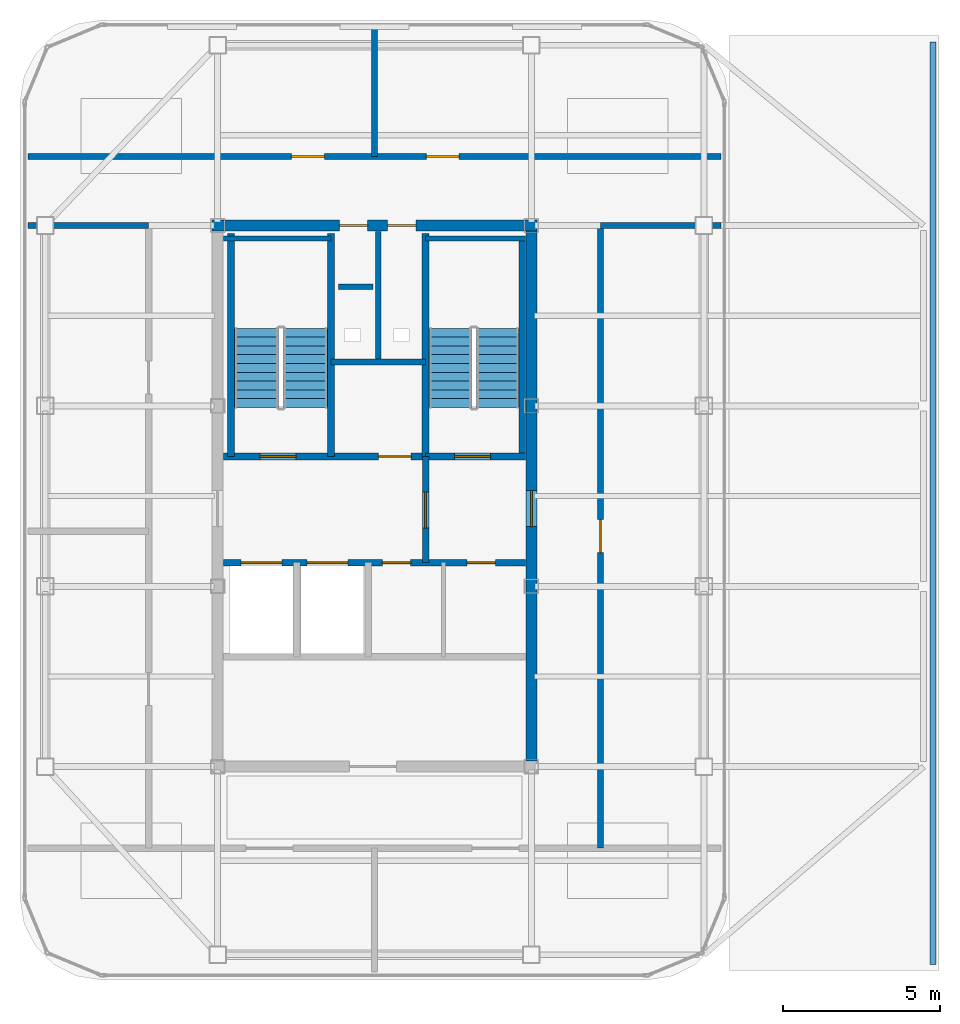
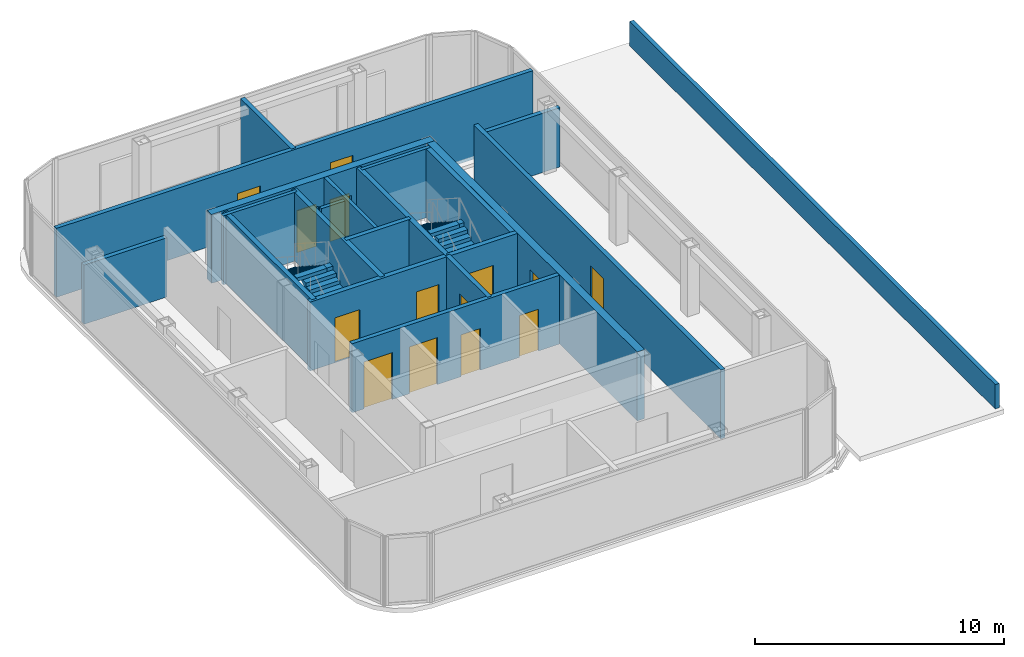
# One storey, part 10 of 11: 21 walls, 14 doors, 4 stair flights, 14 openings, 2 elements without a shape of their own.
"""IFC4 building model written with IfcOpenShell, lengths in metres."""

import ifcopenshell
import ifcopenshell.guid

model = None  # the IFC model being written
_history = None  # IfcOwnerHistory: only IFC2X3 demands one
_inside = {}  # id of a spatial element -> (the spatial element, [elements in it])
_under = {}  # id of a project, library or spatial element -> (it, [spatial elements below it])
_declared = {}  # id of a project -> (the project, [libraries it declares])
_typed = {}  # id of a type object -> (the type object, [elements of that type])
_made_of = {}  # id of a material, layer set ... -> (it, [elements and type objects made of it])


def new_model(schema):
    """Start an empty IFC model of exactly this schema.

    Asked for "IFC4X3", IfcOpenShell would pick the latest addendum, in which some entities
    have other attributes; the version numbers below select the first issue.
    IFC2X3 requires an IfcOwnerHistory on every rooted entity: one is made here for all.
    """
    global model, _history
    if schema == "IFC4X3":
        model = ifcopenshell.file(schema_version=(4, 3, 0, 0))
    else:
        model = ifcopenshell.file(schema=schema)
    _inside.clear()
    _under.clear()
    _declared.clear()
    _typed.clear()
    _made_of.clear()
    _history = None
    if model.schema == "IFC2X3":
        org = make("IfcOrganization", Name="unknown")
        user = make(
            "IfcPersonAndOrganization",
            ThePerson=make("IfcPerson", FamilyName="unknown"),
            TheOrganization=org,
        )
        app = make(
            "IfcApplication",
            ApplicationDeveloper=org,
            Version="unknown",
            ApplicationFullName="unknown",
            ApplicationIdentifier="unknown",
        )
        _history = make(
            "IfcOwnerHistory",
            OwningUser=user,
            OwningApplication=app,
            ChangeAction="ADDED",
            CreationDate=0,
        )
    return model


def make(cls, **values):
    """One entity of the class cls with the attributes given. An attribute that is None is left unset."""
    return model.create_entity(
        cls, **{name: value for name, value in values.items() if value is not None}
    )


def rooted(cls, **values):
    """An entity with a GlobalId (a new one), such as an element, a storey or a relation."""
    return make(cls, GlobalId=ifcopenshell.guid.new(), OwnerHistory=_history, **values)


def si_unit(unit_type, name, prefix=None):
    """IfcSIUnit, for example si_unit("LENGTHUNIT", "METRE", prefix="MILLI")."""
    return make("IfcSIUnit", UnitType=unit_type, Prefix=prefix, Name=name)


def assignment(units):
    """IfcUnitAssignment: the units of a project."""
    return None if units is None else make("IfcUnitAssignment", Units=units)


def point(xyz):
    """IfcCartesianPoint."""
    return None if xyz is None else make("IfcCartesianPoint", Coordinates=xyz)


def direction(xyz):
    """IfcDirection."""
    return None if xyz is None else make("IfcDirection", DirectionRatios=xyz)


def frame(location, z_axis=None, x_axis=None):
    """IfcAxis2Placement3D, a coordinate frame: its origin and axes. An axis left out is left unset."""
    return make(
        "IfcAxis2Placement3D",
        Location=point(location),
        Axis=direction(z_axis),
        RefDirection=direction(x_axis),
    )


def frame_2d(location, x_axis=None):
    """IfcAxis2Placement2D, a coordinate frame in the plane: its origin and x axis."""
    return make(
        "IfcAxis2Placement2D", Location=point(location), RefDirection=direction(x_axis)
    )


def origin():
    """The frame at (0, 0, 0) with its axes left unset."""
    return frame((0.0, 0.0, 0.0))


def place(relative_to, where):
    """IfcLocalPlacement: puts the frame where relative to a parent placement (None: the world)."""
    return make(
        "IfcLocalPlacement", PlacementRelTo=relative_to, RelativePlacement=where
    )


def context(
    kind, dimensions, precision=None, world=None, true_north=None, identifier=None
):
    """IfcGeometricRepresentationContext, for example the 3D "Model" context."""
    return make(
        "IfcGeometricRepresentationContext",
        ContextIdentifier=identifier,
        ContextType=kind,
        CoordinateSpaceDimension=dimensions,
        Precision=precision,
        WorldCoordinateSystem=world,
        TrueNorth=true_north,
    )


def subcontext(parent, identifier, kind, view, scale=None):
    """IfcGeometricRepresentationSubContext, for example "Body" below "Model"."""
    return make(
        "IfcGeometricRepresentationSubContext",
        ContextIdentifier=identifier,
        ContextType=kind,
        ParentContext=parent,
        TargetScale=scale,
        TargetView=view,
    )


def project(units=None, contexts=None):
    """IfcProject with its units and contexts."""
    return rooted(
        "IfcProject",
        Name="project",
        RepresentationContexts=contexts,
        UnitsInContext=assignment(units),
    )


def spatial(cls, under=None, at=None, **own):
    """A site, building, storey or space (cls), placed at a placement, below another one or the project."""
    s = rooted(cls, ObjectPlacement=at, **own)
    if under is not None:
        _under.setdefault(under.id(), (under, []))[1].append(s)
    return s


def polyline(points):
    """IfcPolyline through the points."""
    return make("IfcPolyline", Points=[point(p) for p in points])


def profile(cls, at=None, kind="AREA", **sizes):
    """A parametric profile (cls). Its sizes go by their IFC names, for example OverallWidth=200.0."""
    return make(cls, ProfileType=kind, Position=at, **sizes)


def rectangle(**sizes):
    """IfcRectangleProfileDef."""
    return profile("IfcRectangleProfileDef", **sizes)


def outline(outer, holes=None, kind="AREA"):
    """IfcArbitraryClosedProfileDef: a profile drawn as a closed curve; with holes, ...WithVoids."""
    if holes is None:
        return make("IfcArbitraryClosedProfileDef", ProfileType=kind, OuterCurve=outer)
    return make(
        "IfcArbitraryProfileDefWithVoids",
        ProfileType=kind,
        OuterCurve=outer,
        InnerCurves=holes,
    )


def extrude(swept, where, along, depth):
    """IfcExtrudedAreaSolid: the profile swept, set in the frame where, extruded along a direction by depth."""
    return make(
        "IfcExtrudedAreaSolid",
        SweptArea=swept,
        Position=where,
        ExtrudedDirection=direction(along),
        Depth=depth,
    )


def shape(context_of_items, identifier, shape_type, items):
    """IfcShapeRepresentation: the items that make up one representation, for example the "Body"."""
    return make(
        "IfcShapeRepresentation",
        ContextOfItems=context_of_items,
        RepresentationIdentifier=identifier,
        RepresentationType=shape_type,
        Items=items,
    )


def material(Name=None, Category=None):
    """IfcMaterial."""
    return make("IfcMaterial", Name=Name, Category=Category)


def layer(
    of_material, thickness, ventilated=None, Name=None, Category=None, Priority=None
):
    """IfcMaterialLayer: one layer of a wall or slab, of a material (None: an air gap)."""
    return make(
        "IfcMaterialLayer",
        Material=of_material,
        LayerThickness=thickness,
        IsVentilated=ventilated,
        Name=Name,
        Category=Category,
        Priority=Priority,
    )


def layer_set(layers, Name=None):
    """IfcMaterialLayerSet."""
    return make("IfcMaterialLayerSet", MaterialLayers=layers, LayerSetName=Name)


def made_of(thing, what):
    """Note that an element or type object is made of a material, layer set ...; save() writes the relation."""
    if what is not None:
        _made_of.setdefault(what.id(), (what, []))[1].append(thing)
    return thing


def type_object(cls, material=None, **own):
    """A type object (cls), such as IfcWallType, which elements share."""
    return made_of(rooted(cls, **own), material)


def element(
    cls,
    number,
    at=None,
    inside=None,
    cuts=None,
    type_object=None,
    material=None,
    context=None,
    identifier="Body",
    shape_type=None,
    held_by="IfcProductDefinitionShape",
    body=None,
    shapes=None,
    **own,
):
    """One element of the class cls, such as IfcWall. Its Tag is "e" and its number.

    at: its placement. inside: the storey or other place that contains it. cuts: it is an
    opening in that element (IfcRelVoidsElement). A single representation is given by context,
    identifier, shape_type and body (its items); several are given by shapes. held_by: the class
    of the entity that holds the representations. save() writes the other relations.
    """
    e = rooted(cls, Tag="e%d" % number, ObjectPlacement=at, **own)
    if body is not None:
        shapes = [shape(context, identifier, shape_type, body)]
    if shapes is not None:
        e.Representation = make(held_by, Representations=shapes)
    if inside is not None:
        _inside.setdefault(inside.id(), (inside, []))[1].append(e)
    if cuts is not None:
        rooted(
            "IfcRelVoidsElement", RelatingBuildingElement=cuts, RelatedOpeningElement=e
        )
    if type_object is not None:
        _typed.setdefault(type_object.id(), (type_object, []))[1].append(e)
    return made_of(e, material)


def fill(opening, filler):
    """IfcRelFillsElement: the door or window that sits in an opening."""
    return rooted(
        "IfcRelFillsElement",
        RelatingOpeningElement=opening,
        RelatedBuildingElement=filler,
    )


def aggregate(whole, parts):
    """IfcRelAggregates: a whole, such as a stair, and the parts it consists of."""
    return rooted("IfcRelAggregates", RelatingObject=whole, RelatedObjects=parts)


def save(model, path):
    """Write the relations noted so far, then the file.

    IfcRelAggregates (storeys below a building ...), IfcRelContainedInSpatialStructure (elements
    in a storey), IfcRelDefinesByType, IfcRelAssociatesMaterial and IfcRelDeclares: one each for
    every whole, place, type object, material and project.
    """
    for whole, parts in _under.values():
        aggregate(whole, parts)
    for where, things in _inside.values():
        rooted(
            "IfcRelContainedInSpatialStructure",
            RelatedElements=things,
            RelatingStructure=where,
        )
    for kind, things in _typed.values():
        rooted("IfcRelDefinesByType", RelatedObjects=things, RelatingType=kind)
    for what, things in _made_of.values():
        rooted("IfcRelAssociatesMaterial", RelatedObjects=things, RelatingMaterial=what)
    for by, libraries in _declared.values():
        rooted("IfcRelDeclares", RelatingContext=by, RelatedDefinitions=libraries)
    model.write(path)


model = new_model("IFC4")

# Units and contexts
model_context = context("Model", 3, precision=1e-05, world=origin(), true_north=direction((0.0, 1.0)))
body_context = subcontext(model_context, "Body", "Model", "MODEL_VIEW")
ifc_project = project(units=[si_unit("LENGTHUNIT", "METRE"), si_unit("AREAUNIT", "SQUARE_METRE"), si_unit("VOLUMEUNIT", "CUBIC_METRE"), si_unit("PLANEANGLEUNIT", "RADIAN"), si_unit("MASSUNIT", "GRAM", prefix="KILO")], contexts=[model_context])

# Site, building, storey
site_placement = place(None, origin())
site = spatial("IfcSite", under=ifc_project, at=site_placement, CompositionType="ELEMENT")
building_placement = place(site_placement, origin())
building = spatial("IfcBuilding", under=site, at=building_placement, Name="Kolveth Station Tower", CompositionType="ELEMENT")
storey_placement = place(building_placement, frame((0.0, 0.0, 285.699951171875)))
storey = spatial("IfcBuildingStorey", under=building, at=storey_placement, Name="L82", CompositionType="ELEMENT", Elevation=285.699951171875)

# Wall, openings, doors
ifc_material_1 = material(Name="Concrete C50/60", Category="concrete")
ifc_layer_1 = layer(ifc_material_1, 0.35009765625)
ifc_layer_set_1 = layer_set([ifc_layer_1], Name="Concrete C50/60")
wall_type_1 = type_object("IfcWallType", Name="Wall_CW-350", PredefinedType="SHEAR", material=ifc_layer_set_1)
wall_1_placement = place(storey_placement, frame((18.324951171875, 28.75, 0.0), z_axis=(0.0, 0.0, 1.0), x_axis=(1.0, 0.0, 0.0)))
wall_1 = element("IfcWall", 1, at=wall_1_placement, inside=storey, type_object=wall_type_1, Name="L82 Core RC Shear Wall N", PredefinedType="SHEAR", context=body_context, shape_type="SweptSolid", body=[
    extrude(rectangle(XDim=10.35009765625, YDim=0.35009765625, at=frame_2d((5.175048828125, 0.0))), origin(), (0.0, 0.0, 1.0), 3.380126953125),
])
opening_1_placement = place(wall_1_placement, frame((4.054931640625, 0.0, 0.0)))
opening_1 = element("IfcOpeningElement", 2, at=opening_1_placement, cuts=wall_1, Name="Opening RD1", PredefinedType="OPENING", context=body_context, shape_type="SweptSolid", body=[
    extrude(rectangle(XDim=0.89990234375, YDim=2.050048828125, at=frame_2d((0.449951171875, 1.02490234375))), frame((0.0, 0.18505859375, 0.0), z_axis=(0.0, -1.0, 0.0), x_axis=(1.0, 0.0, 0.0)), (0.0, 0.0, 1.0), 0.3701171875),
])
opening_2_placement = place(wall_1_placement, frame((5.594970703125, 0.0, 0.0)))
opening_2 = element("IfcOpeningElement", 3, at=opening_2_placement, cuts=wall_1, Name="Opening RD1", PredefinedType="OPENING", context=body_context, shape_type="SweptSolid", body=[
    extrude(rectangle(XDim=0.89990234375, YDim=2.050048828125, at=frame_2d((0.449951171875, 1.02490234375))), frame((0.0, 0.18505859375, 0.0), z_axis=(0.0, -1.0, 0.0), x_axis=(1.0, 0.0, 0.0)), (0.0, 0.0, 1.0), 0.3701171875),
])
ifc_material_2 = material(Name="Fire-rated Steel S355 riser access leaf", Category="steel")
door_type_1 = type_object("IfcDoorType", Name="Door_RD1", OperationType="NOTDEFINED", PredefinedType="DOOR", material=ifc_material_2)
door_1_placement = place(opening_1_placement, origin())
door_1 = element("IfcDoor", 4, at=door_1_placement, inside=storey, type_object=door_type_1, Name="L82 Electrical Riser Access Door", OperationType="SINGLE_SWING_RIGHT", OverallHeight=2.050048828125, OverallWidth=0.89990234375, PredefinedType="DOOR", context=body_context, shape_type="SweptSolid", body=[
    extrude(rectangle(XDim=0.89990234375, YDim=2.050048828125, at=frame_2d((0.449951171875, 1.02490234375))), frame((0.0, 0.02490234375, 0.0), z_axis=(0.0, -1.0, 0.0), x_axis=(1.0, 0.0, 0.0)), (0.0, 0.0, 1.0), 0.050048828125),
])
fill(opening_1, door_1)
door_2_placement = place(opening_2_placement, origin())
door_2 = element("IfcDoor", 5, at=door_2_placement, inside=storey, type_object=door_type_1, Name="L82 Smoke Duct Access Door", OperationType="SINGLE_SWING_LEFT", OverallHeight=2.050048828125, OverallWidth=0.89990234375, PredefinedType="DOOR", context=body_context, shape_type="SweptSolid", body=[
    extrude(rectangle(XDim=0.89990234375, YDim=2.050048828125, at=frame_2d((0.449951171875, 1.02490234375))), frame((0.0, 0.02490234375, 0.0), z_axis=(0.0, -1.0, 0.0), x_axis=(1.0, 0.0, 0.0)), (0.0, 0.0, 1.0), 0.050048828125),
])
fill(opening_2, door_2)

# Wall, opening, door
wall_2_placement = place(storey_placement, frame((28.5, 11.675048828125, 0.0), z_axis=(0.0, 0.0, 1.0), x_axis=(0.0, 1.0, 0.0)))
wall_2 = element("IfcWall", 6, at=wall_2_placement, inside=storey, type_object=wall_type_1, Name="L82 Core RC Shear Wall E", PredefinedType="SHEAR", context=body_context, shape_type="SweptSolid", body=[
    extrude(rectangle(XDim=16.89990234375, YDim=0.35009765625, at=frame_2d((8.449951171875, 0.0))), origin(), (0.0, 0.0, 1.0), 3.380126953125),
])
opening_3_placement = place(wall_2_placement, frame((7.47509765625, 0.0, 0.0)))
opening_3 = element("IfcOpeningElement", 7, at=opening_3_placement, cuts=wall_2, Name="Opening FD1", PredefinedType="OPENING", context=body_context, shape_type="SweptSolid", body=[
    extrude(rectangle(XDim=1.14990234375, YDim=2.199951171875, at=frame_2d((0.574951171875, 1.10009765625))), frame((0.0, 0.18505859375, 0.0), z_axis=(0.0, -1.0, 0.0), x_axis=(1.0, 0.0, 0.0)), (0.0, 0.0, 1.0), 0.3701171875),
])
ifc_material_3 = material(Name="Fire-rated Steel S355 leaf and frame", Category="steel")
door_type_2 = type_object("IfcDoorType", Name="Door_FD1", OperationType="NOTDEFINED", PredefinedType="DOOR", material=ifc_material_3)
door_3_placement = place(opening_3_placement, origin())
door_3 = element("IfcDoor", 8, at=door_3_placement, inside=storey, type_object=door_type_2, Name="L82 East Corridor to Stair Lobby Door", OperationType="SINGLE_SWING_LEFT", OverallHeight=2.199951171875, OverallWidth=1.14990234375, PredefinedType="DOOR", context=body_context, shape_type="SweptSolid", body=[
    extrude(rectangle(XDim=1.14990234375, YDim=2.199951171875, at=frame_2d((0.574951171875, 1.10009765625))), frame((0.0, 0.02490234375, 0.0), z_axis=(0.0, -1.0, 0.0), x_axis=(1.0, 0.0, 0.0)), (0.0, 0.0, 1.0), 0.050048828125),
])
fill(opening_3, door_3)

# Walls
ifc_material_4 = material(Name="Acoustic double-stud gypsum partition")
ifc_layer_2 = layer(ifc_material_4, 0.1650390625)
ifc_layer_set_2 = layer_set([ifc_layer_2], Name="Acoustic double-stud gypsum partition")
wall_type_2 = type_object("IfcWallType", Name="Wall_IW-165", PredefinedType="PARTITIONING", material=ifc_layer_set_2)
wall_3_placement = place(storey_placement, frame((18.68505859375, 28.3349609375, 0.0), z_axis=(0.0, 0.0, 1.0), x_axis=(1.0, 0.0, 0.0)))
element("IfcWall", 9, at=wall_3_placement, inside=storey, type_object=wall_type_2, Name="L82 Stair Shaft Wall WL-L82-ST1-N", PredefinedType="PARTITIONING", context=body_context, shape_type="SweptSolid", body=[
    extrude(rectangle(XDim=3.425048828125, YDim=0.1650390625, at=frame_2d((1.71240234375, 0.0))), origin(), (0.0, 0.0, 1.0), 3.380126953125),
])
wall_4_placement = place(storey_placement, frame((25.1298828125, 28.3349609375, 0.0), z_axis=(0.0, 0.0, 1.0), x_axis=(1.0, 0.0, 0.0)))
element("IfcWall", 10, at=wall_4_placement, inside=storey, type_object=wall_type_2, Name="L82 Stair Shaft Wall WL-L82-ST2-N", PredefinedType="PARTITIONING", context=body_context, shape_type="SweptSolid", body=[
    extrude(rectangle(XDim=3.18505859375, YDim=0.1650390625, at=frame_2d((1.592529296875, 0.0))), origin(), (0.0, 0.0, 1.0), 3.380126953125),
])
wall_5_placement = place(storey_placement, frame((23.6201171875, 24.39990234375, 0.0), z_axis=(0.0, 0.0, 1.0), x_axis=(0.0, 1.0, 0.0)))
element("IfcWall", 11, at=wall_5_placement, inside=storey, type_object=wall_type_2, Name="L82 Partition Wall WL-L82-RSR-M", PredefinedType="PARTITIONING", context=body_context, shape_type="SweptSolid", body=[
    extrude(rectangle(XDim=4.1650390625, YDim=0.1650390625, at=frame_2d((2.08251953125, 0.0))), origin(), (0.0, 0.0, 1.0), 3.380126953125),
])
wall_6_placement = place(storey_placement, frame((22.35009765625, 26.800048828125, 0.0), z_axis=(0.0, 0.0, 1.0), x_axis=(1.0, 0.0, 0.0)))
element("IfcWall", 12, at=wall_6_placement, inside=storey, type_object=wall_type_2, Name="L82 Acoustic Riser Dry-Lining Wall", PredefinedType="PARTITIONING", context=body_context, shape_type="SweptSolid", body=[
    extrude(rectangle(XDim=1.099853515625, YDim=0.1650390625, at=frame_2d((0.5498046875, 0.0))), origin(), (0.0, 0.0, 1.0), 3.380126953125),
])
ifc_material_5 = material(Name="Acoustic fire-rated gypsum blockwork", Category="masonry")
ifc_layer_3 = layer(ifc_material_5, 0.199951171875)
ifc_layer_set_3 = layer_set([ifc_layer_3], Name="Acoustic fire-rated gypsum blockwork")
wall_type_3 = type_object("IfcWallType", Name="Wall_IW-200", PredefinedType="PARTITIONING", material=ifc_layer_set_3)
wall_7_placement = place(storey_placement, frame((22.110107421875, 24.39990234375, 0.0), z_axis=(0.0, 0.0, 1.0), x_axis=(1.0, 0.0, 0.0)))
element("IfcWall", 13, at=wall_7_placement, inside=storey, type_object=wall_type_3, Name="L82 Partition Wall WL-L82-RSR-S", PredefinedType="PARTITIONING", context=body_context, shape_type="SweptSolid", body=[
    extrude(rectangle(XDim=3.019775390625, YDim=0.199951171875, at=frame_2d((1.509765625, 0.0))), origin(), (0.0, 0.0, 1.0), 3.380126953125),
])

# Wall, opening, door
wall_8_placement = place(storey_placement, frame((25.1298828125, 18.0, 0.0), z_axis=(0.0, 0.0, 1.0), x_axis=(0.0, 1.0, 0.0)))
wall_8 = element("IfcWall", 14, at=wall_8_placement, inside=storey, type_object=wall_type_3, Name="L82 Partition Wall WL-L82-FFL-E", PredefinedType="PARTITIONING", context=body_context, shape_type="SweptSolid", body=[
    extrude(rectangle(XDim=3.389892578125, YDim=0.199951171875, at=frame_2d((1.69482421875, 0.0))), origin(), (0.0, 0.0, 1.0), 3.380126953125),
])
opening_4_placement = place(wall_8_placement, frame((1.10009765625, 0.0, 0.0)))
opening_4 = element("IfcOpeningElement", 15, at=opening_4_placement, cuts=wall_8, Name="Opening FD1", PredefinedType="OPENING", context=body_context, shape_type="SweptSolid", body=[
    extrude(rectangle(XDim=1.14990234375, YDim=2.199951171875, at=frame_2d((0.574951171875, 1.10009765625))), frame((0.0, 0.10986328125, 0.0), z_axis=(0.0, -1.0, 0.0), x_axis=(1.0, 0.0, 0.0)), (0.0, 0.0, 1.0), 0.219970703125),
])
door_4_placement = place(opening_4_placement, origin())
door_4 = element("IfcDoor", 16, at=door_4_placement, inside=storey, type_object=door_type_2, Name="L82 Firefighting to Stair Lobby Door", OperationType="SINGLE_SWING_LEFT", OverallHeight=2.199951171875, OverallWidth=1.14990234375, PredefinedType="DOOR", context=body_context, shape_type="SweptSolid", body=[
    extrude(rectangle(XDim=1.14990234375, YDim=2.199951171875, at=frame_2d((0.574951171875, 1.10009765625))), frame((0.0, 0.02490234375, 0.0), z_axis=(0.0, -1.0, 0.0), x_axis=(1.0, 0.0, 0.0)), (0.0, 0.0, 1.0), 0.050048828125),
])
fill(opening_4, door_4)

# Wall, openings, doors
wall_9_placement = place(storey_placement, frame((18.68505859375, 18.0, 0.0), z_axis=(0.0, 0.0, 1.0), x_axis=(1.0, 0.0, 0.0)))
wall_9 = element("IfcWall", 17, at=wall_9_placement, inside=storey, type_object=wall_type_3, Name="L82 Partition Wall WL-L82-FFL-S", PredefinedType="PARTITIONING", context=body_context, shape_type="SweptSolid", body=[
    extrude(rectangle(XDim=9.6298828125, YDim=0.199951171875, at=frame_2d((4.81494140625, 0.0))), origin(), (0.0, 0.0, 1.0), 3.380126953125),
])
opening_5_placement = place(wall_9_placement, frame((0.56494140625, 0.0, 0.0)))
opening_5 = element("IfcOpeningElement", 18, at=opening_5_placement, cuts=wall_9, Name="Opening LD2", PredefinedType="OPENING", context=body_context, shape_type="SweptSolid", body=[
    extrude(rectangle(XDim=1.300048828125, YDim=2.300048828125, at=frame_2d((0.64990234375, 1.14990234375))), frame((0.0, 0.10986328125, 0.0), z_axis=(0.0, -1.0, 0.0), x_axis=(1.0, 0.0, 0.0)), (0.0, 0.0, 1.0), 0.219970703125),
])
opening_6_placement = place(wall_9_placement, frame((2.6650390625, 0.0, 0.0)))
opening_6 = element("IfcOpeningElement", 19, at=opening_6_placement, cuts=wall_9, Name="Opening LD2", PredefinedType="OPENING", context=body_context, shape_type="SweptSolid", body=[
    extrude(rectangle(XDim=1.300048828125, YDim=2.300048828125, at=frame_2d((0.64990234375, 1.14990234375))), frame((0.0, 0.10986328125, 0.0), z_axis=(0.0, -1.0, 0.0), x_axis=(1.0, 0.0, 0.0)), (0.0, 0.0, 1.0), 0.219970703125),
])
opening_7_placement = place(wall_9_placement, frame((5.06494140625, 0.0, 0.0)))
opening_7 = element("IfcOpeningElement", 20, at=opening_7_placement, cuts=wall_9, Name="Opening RD1", PredefinedType="OPENING", context=body_context, shape_type="SweptSolid", body=[
    extrude(rectangle(XDim=0.89990234375, YDim=2.050048828125, at=frame_2d((0.449951171875, 1.02490234375))), frame((0.0, 0.10986328125, 0.0), z_axis=(0.0, -1.0, 0.0), x_axis=(1.0, 0.0, 0.0)), (0.0, 0.0, 1.0), 0.219970703125),
])
opening_8_placement = place(wall_9_placement, frame((7.764892578125, 0.0, 0.0)))
opening_8 = element("IfcOpeningElement", 21, at=opening_8_placement, cuts=wall_9, Name="Opening RD1", PredefinedType="OPENING", context=body_context, shape_type="SweptSolid", body=[
    extrude(rectangle(XDim=0.89990234375, YDim=2.050048828125, at=frame_2d((0.449951171875, 1.02490234375))), frame((0.0, 0.10986328125, 0.0), z_axis=(0.0, -1.0, 0.0), x_axis=(1.0, 0.0, 0.0)), (0.0, 0.0, 1.0), 0.219970703125),
])
ifc_material_6 = material(Name="Firefighting stainless steel sliding landing doors", Category="steel")
door_type_3 = type_object("IfcDoorType", Name="Door_LD2", OperationType="NOTDEFINED", PredefinedType="DOOR", material=ifc_material_6)
door_5_placement = place(opening_5_placement, origin())
door_5 = element("IfcDoor", 22, at=door_5_placement, inside=storey, type_object=door_type_3, Name="L82 Firefighting Lift FF1 Landing Door", OperationType="DOUBLE_DOOR_SLIDING", OverallHeight=2.300048828125, OverallWidth=1.300048828125, PredefinedType="DOOR", context=body_context, shape_type="SweptSolid", body=[
    extrude(rectangle(XDim=1.300048828125, YDim=2.300048828125, at=frame_2d((0.64990234375, 1.14990234375))), frame((0.0, 0.02490234375, 0.0), z_axis=(0.0, -1.0, 0.0), x_axis=(1.0, 0.0, 0.0)), (0.0, 0.0, 1.0), 0.050048828125),
])
fill(opening_5, door_5)
door_6_placement = place(opening_6_placement, origin())
door_6 = element("IfcDoor", 23, at=door_6_placement, inside=storey, type_object=door_type_3, Name="L82 Firefighting Lift FF2 Landing Door", OperationType="DOUBLE_DOOR_SLIDING", OverallHeight=2.300048828125, OverallWidth=1.300048828125, PredefinedType="DOOR", context=body_context, shape_type="SweptSolid", body=[
    extrude(rectangle(XDim=1.300048828125, YDim=2.300048828125, at=frame_2d((0.64990234375, 1.14990234375))), frame((0.0, 0.02490234375, 0.0), z_axis=(0.0, -1.0, 0.0), x_axis=(1.0, 0.0, 0.0)), (0.0, 0.0, 1.0), 0.050048828125),
])
fill(opening_6, door_6)
door_7_placement = place(opening_7_placement, frame((0.89990234375, 0.0, 0.0), z_axis=(0.0, 0.0, 1.0), x_axis=(-1.0, 0.0, 0.0)))
door_7 = element("IfcDoor", 24, at=door_7_placement, inside=storey, type_object=door_type_1, Name="L82 Core Accessible WC Door", OperationType="SINGLE_SWING_RIGHT", OverallHeight=2.050048828125, OverallWidth=0.89990234375, PredefinedType="DOOR", context=body_context, shape_type="SweptSolid", body=[
    extrude(rectangle(XDim=0.89990234375, YDim=2.050048828125, at=frame_2d((0.449951171875, 1.02490234375))), frame((0.0, 0.02490234375, 0.0), z_axis=(0.0, -1.0, 0.0), x_axis=(1.0, 0.0, 0.0)), (0.0, 0.0, 1.0), 0.050048828125),
])
fill(opening_7, door_7)
door_8_placement = place(opening_8_placement, frame((0.89990234375, 0.0, 0.0), z_axis=(0.0, 0.0, 1.0), x_axis=(-1.0, 0.0, 0.0)))
door_8 = element("IfcDoor", 25, at=door_8_placement, inside=storey, type_object=door_type_1, Name="L82 Core Cleaner Store Door", OperationType="SINGLE_SWING_LEFT", OverallHeight=2.050048828125, OverallWidth=0.89990234375, PredefinedType="DOOR", context=body_context, shape_type="SweptSolid", body=[
    extrude(rectangle(XDim=0.89990234375, YDim=2.050048828125, at=frame_2d((0.449951171875, 1.02490234375))), frame((0.0, 0.02490234375, 0.0), z_axis=(0.0, -1.0, 0.0), x_axis=(1.0, 0.0, 0.0)), (0.0, 0.0, 1.0), 0.050048828125),
])
fill(opening_8, door_8)

wall_10_placement = place(storey_placement, frame((12.449951171875, 30.949951171875, 0.0), z_axis=(0.0, 0.0, 1.0), x_axis=(1.0, 0.0, 0.0)))
wall_10 = element("IfcWall", 26, at=wall_10_placement, inside=storey, type_object=wall_type_3, Name="L82 Partition Wall WL-L82-PR-N", PredefinedType="PARTITIONING", context=body_context, shape_type="SweptSolid", body=[
    extrude(rectangle(XDim=22.10009765625, YDim=0.199951171875, at=frame_2d((11.050048828125, 0.0))), origin(), (0.0, 0.0, 1.0), 3.380126953125),
])
opening_9_placement = place(wall_10_placement, frame((8.39990234375, 0.0, 0.0)))
opening_9 = element("IfcOpeningElement", 27, at=opening_9_placement, cuts=wall_10, Name="Opening FD2", PredefinedType="OPENING", context=body_context, shape_type="SweptSolid", body=[
    extrude(rectangle(XDim=1.050048828125, YDim=2.14990234375, at=frame_2d((0.52490234375, 1.074951171875))), frame((0.0, 0.10986328125, 0.0), z_axis=(0.0, -1.0, 0.0), x_axis=(1.0, 0.0, 0.0)), (0.0, 0.0, 1.0), 0.219970703125),
])
opening_10_placement = place(wall_10_placement, frame((12.699951171875, 0.0, 0.0)))
opening_10 = element("IfcOpeningElement", 28, at=opening_10_placement, cuts=wall_10, Name="Opening FD2", PredefinedType="OPENING", context=body_context, shape_type="SweptSolid", body=[
    extrude(rectangle(XDim=1.050048828125, YDim=2.14990234375, at=frame_2d((0.52490234375, 1.074951171875))), frame((0.0, 0.10986328125, 0.0), z_axis=(0.0, -1.0, 0.0), x_axis=(1.0, 0.0, 0.0)), (0.0, 0.0, 1.0), 0.219970703125),
])
door_type_4 = type_object("IfcDoorType", Name="Door_FD2", OperationType="NOTDEFINED", PredefinedType="DOOR", material=ifc_material_3)
door_9_placement = place(opening_9_placement, origin())
door_9 = element("IfcDoor", 29, at=door_9_placement, inside=storey, type_object=door_type_4, Name="L82 Water Tank Room Door", OperationType="SINGLE_SWING_RIGHT", OverallHeight=2.14990234375, OverallWidth=1.050048828125, PredefinedType="DOOR", context=body_context, shape_type="SweptSolid", body=[
    extrude(rectangle(XDim=1.050048828125, YDim=2.14990234375, at=frame_2d((0.52490234375, 1.074951171875))), frame((0.0, 0.02490234375, 0.0), z_axis=(0.0, -1.0, 0.0), x_axis=(1.0, 0.0, 0.0)), (0.0, 0.0, 1.0), 0.050048828125),
])
fill(opening_9, door_9)
door_10_placement = place(opening_10_placement, origin())
door_10 = element("IfcDoor", 30, at=door_10_placement, inside=storey, type_object=door_type_4, Name="L82 Elevator Machine Plant Room Door", OperationType="SINGLE_SWING_LEFT", OverallHeight=2.14990234375, OverallWidth=1.050048828125, PredefinedType="DOOR", context=body_context, shape_type="SweptSolid", body=[
    extrude(rectangle(XDim=1.050048828125, YDim=2.14990234375, at=frame_2d((0.52490234375, 1.074951171875))), frame((0.0, 0.02490234375, 0.0), z_axis=(0.0, -1.0, 0.0), x_axis=(1.0, 0.0, 0.0)), (0.0, 0.0, 1.0), 0.050048828125),
])
fill(opening_10, door_10)

# Wall, opening, door
wall_11_placement = place(storey_placement, frame((30.699951171875, 8.89990234375, 0.0), z_axis=(0.0, 0.0, 1.0), x_axis=(0.0, 1.0, 0.0)))
wall_11 = element("IfcWall", 31, at=wall_11_placement, inside=storey, type_object=wall_type_3, Name="L82 Partition Wall WL-L82-PR-E", PredefinedType="PARTITIONING", context=body_context, shape_type="SweptSolid", body=[
    extrude(rectangle(XDim=19.85009765625, YDim=0.199951171875, at=frame_2d((9.925048828125, 0.0))), origin(), (0.0, 0.0, 1.0), 3.380126953125),
])
opening_11_placement = place(wall_11_placement, frame((9.425048828125, 0.0, 0.0)))
opening_11 = element("IfcOpeningElement", 32, at=opening_11_placement, cuts=wall_11, Name="Opening FD2", PredefinedType="OPENING", context=body_context, shape_type="SweptSolid", body=[
    extrude(rectangle(XDim=1.050048828125, YDim=2.14990234375, at=frame_2d((0.52490234375, 1.074951171875))), frame((0.0, 0.10986328125, 0.0), z_axis=(0.0, -1.0, 0.0), x_axis=(1.0, 0.0, 0.0)), (0.0, 0.0, 1.0), 0.219970703125),
])
door_11_placement = place(opening_11_placement, origin())
door_11 = element("IfcDoor", 33, at=door_11_placement, inside=storey, type_object=door_type_4, Name="L82 Medium Voltage Switchgear Room Door", OperationType="SINGLE_SWING_RIGHT", OverallHeight=2.14990234375, OverallWidth=1.050048828125, PredefinedType="DOOR", context=body_context, shape_type="SweptSolid", body=[
    extrude(rectangle(XDim=1.050048828125, YDim=2.14990234375, at=frame_2d((0.52490234375, 1.074951171875))), frame((0.0, 0.02490234375, 0.0), z_axis=(0.0, -1.0, 0.0), x_axis=(1.0, 0.0, 0.0)), (0.0, 0.0, 1.0), 0.050048828125),
])
fill(opening_11, door_11)

# Walls
for number, where, z_axis, x_axis, name in (
    (34, (12.449951171875, 28.75, 0.0), (0.0, 0.0, 1.0), (1.0, 0.0, 0.0), "L82 Partition Wall WL-L82-CR-WN"),
    (35, (30.699951171875, 28.75, 0.0), (0.0, 0.0, 1.0), (1.0, 0.0, 0.0), "L82 Partition Wall WL-L82-CR-EN"),
):
    element("IfcWall", number, at=place(storey_placement, frame(where, z_axis=z_axis, x_axis=x_axis)), inside=storey, type_object=wall_type_3, Name=name, PredefinedType="PARTITIONING", context=body_context, shape_type="SweptSolid", body=[
        extrude(rectangle(XDim=3.85009765625, YDim=0.199951171875, at=frame_2d((1.925048828125, 0.0))), origin(), (0.0, 0.0, 1.0), 2.905029296875),
    ])
wall_12_placement = place(storey_placement, frame((23.5, 30.949951171875, 0.0), z_axis=(0.0, 0.0, 1.0), x_axis=(0.0, 1.0, 0.0)))
element("IfcWall", 36, at=wall_12_placement, inside=storey, type_object=wall_type_3, Name="L82 Partition Wall WL-L82-CN-P1", PredefinedType="PARTITIONING", context=body_context, shape_type="SweptSolid", body=[
    extrude(rectangle(XDim=4.10009765625, YDim=0.199951171875, at=frame_2d((2.050048828125, 0.0))), origin(), (0.0, 0.0, 1.0), 3.380126953125),
])
ifc_material_7 = material(Name="Concrete C40/50", Category="concrete")
ifc_layer_4 = layer(ifc_material_7, 0.219970703125)
ifc_layer_set_4 = layer_set([ifc_layer_4], Name="Concrete C40/50")
wall_type_4 = type_object("IfcWallType", Name="Wall_IW-220", PredefinedType="SOLIDWALL", material=ifc_layer_set_4)
for number, where, z_axis, x_axis, name in (
    (37, (18.929931640625, 21.389892578125, 0.0), (0.0, 0.0, 1.0), (0.0, 1.0, 0.0), "L82 Stair Shaft Wall WL-L82-ST1-W"),
    (38, (22.110107421875, 21.389892578125, 0.0), (0.0, 0.0, 1.0), (0.0, 1.0, 0.0), "L82 Stair Shaft Wall WL-L82-ST1-E"),
    (39, (25.1298828125, 21.389892578125, 0.0), (0.0, 0.0, 1.0), (0.0, 1.0, 0.0), "L82 Stair Shaft Wall WL-L82-ST2-W"),
):
    element("IfcWall", number, at=place(storey_placement, frame(where, z_axis=z_axis, x_axis=x_axis)), inside=storey, type_object=wall_type_4, Name=name, PredefinedType="SOLIDWALL", context=body_context, shape_type="SweptSolid", body=[
        extrude(rectangle(XDim=7.110107421875, YDim=0.219970703125, at=frame_2d((3.55517578125, 0.0))), origin(), (0.0, 0.0, 1.0), 3.380126953125),
    ])
wall_13_placement = place(storey_placement, frame((28.2099609375, 21.389892578125, 0.0), z_axis=(0.0, 0.0, 1.0), x_axis=(0.0, 1.0, 0.0)))
element("IfcWall", 40, at=wall_13_placement, inside=storey, type_object=wall_type_4, Name="L82 Stair Shaft Wall WL-L82-ST2-E", PredefinedType="SOLIDWALL", context=body_context, shape_type="SweptSolid", body=[
    extrude(rectangle(XDim=6.945068359375, YDim=0.219970703125, at=frame_2d((3.47265625, 0.0))), origin(), (0.0, 0.0, 1.0), 3.380126953125),
])

# Wall, openings, doors
wall_14_placement = place(storey_placement, frame((18.68505859375, 21.389892578125, 0.0), z_axis=(0.0, 0.0, 1.0), x_axis=(1.0, 0.0, 0.0)))
wall_14 = element("IfcWall", 41, at=wall_14_placement, inside=storey, type_object=wall_type_4, Name="L82 Stair Shaft Wall WL-L82-ST1-S", PredefinedType="SOLIDWALL", context=body_context, shape_type="SweptSolid", body=[
    extrude(rectangle(XDim=6.44482421875, YDim=0.219970703125, at=frame_2d((3.222412109375, 0.0))), origin(), (0.0, 0.0, 1.0), 3.380126953125),
])
opening_12_placement = place(wall_14_placement, frame((1.1650390625, 0.0, 0.0)))
opening_12 = element("IfcOpeningElement", 42, at=opening_12_placement, cuts=wall_14, Name="Opening FD1", PredefinedType="OPENING", context=body_context, shape_type="SweptSolid", body=[
    extrude(rectangle(XDim=1.14990234375, YDim=2.199951171875, at=frame_2d((0.574951171875, 1.10009765625))), frame((0.0, 0.119873046875, 0.0), z_axis=(0.0, -1.0, 0.0), x_axis=(1.0, 0.0, 0.0)), (0.0, 0.0, 1.0), 0.239990234375),
])
opening_13_placement = place(wall_14_placement, frame((4.93505859375, 0.0, 0.0)))
opening_13 = element("IfcOpeningElement", 43, at=opening_13_placement, cuts=wall_14, Name="Opening FD2", PredefinedType="OPENING", context=body_context, shape_type="SweptSolid", body=[
    extrude(rectangle(XDim=1.050048828125, YDim=2.14990234375, at=frame_2d((0.52490234375, 1.074951171875))), frame((0.0, 0.119873046875, 0.0), z_axis=(0.0, -1.0, 0.0), x_axis=(1.0, 0.0, 0.0)), (0.0, 0.0, 1.0), 0.239990234375),
])
door_12_placement = place(opening_12_placement, frame((1.14990234375, 0.0, 0.0), z_axis=(0.0, 0.0, 1.0), x_axis=(-1.0, 0.0, 0.0)))
door_12 = element("IfcDoor", 44, at=door_12_placement, inside=storey, type_object=door_type_2, Name="L82 Stair ST1 Fire Door", OperationType="SINGLE_SWING_LEFT", OverallHeight=2.199951171875, OverallWidth=1.14990234375, PredefinedType="DOOR", context=body_context, shape_type="SweptSolid", body=[
    extrude(rectangle(XDim=1.14990234375, YDim=2.199951171875, at=frame_2d((0.574951171875, 1.10009765625))), frame((0.0, 0.02490234375, 0.0), z_axis=(0.0, -1.0, 0.0), x_axis=(1.0, 0.0, 0.0)), (0.0, 0.0, 1.0), 0.050048828125),
])
fill(opening_12, door_12)
door_13_placement = place(opening_13_placement, origin())
door_13 = element("IfcDoor", 45, at=door_13_placement, inside=storey, type_object=door_type_4, Name="L82 Crown Control Room Door", OperationType="SINGLE_SWING_RIGHT", OverallHeight=2.14990234375, OverallWidth=1.050048828125, PredefinedType="DOOR", context=body_context, shape_type="SweptSolid", body=[
    extrude(rectangle(XDim=1.050048828125, YDim=2.14990234375, at=frame_2d((0.52490234375, 1.074951171875))), frame((0.0, 0.02490234375, 0.0), z_axis=(0.0, -1.0, 0.0), x_axis=(1.0, 0.0, 0.0)), (0.0, 0.0, 1.0), 0.050048828125),
])
fill(opening_13, door_13)

# Wall, opening, door
wall_15_placement = place(storey_placement, frame((25.1298828125, 21.389892578125, 0.0), z_axis=(0.0, 0.0, 1.0), x_axis=(1.0, 0.0, 0.0)))
wall_15 = element("IfcWall", 46, at=wall_15_placement, inside=storey, type_object=wall_type_4, Name="L82 Stair Shaft Wall WL-L82-ST2-S", PredefinedType="SOLIDWALL", context=body_context, shape_type="SweptSolid", body=[
    extrude(rectangle(XDim=3.18505859375, YDim=0.219970703125, at=frame_2d((1.592529296875, 0.0))), origin(), (0.0, 0.0, 1.0), 3.380126953125),
])
opening_14_placement = place(wall_15_placement, frame((0.919921875, 0.0, 0.0)))
opening_14 = element("IfcOpeningElement", 47, at=opening_14_placement, cuts=wall_15, Name="Opening FD1", PredefinedType="OPENING", context=body_context, shape_type="SweptSolid", body=[
    extrude(rectangle(XDim=1.14990234375, YDim=2.199951171875, at=frame_2d((0.574951171875, 1.10009765625))), frame((0.0, 0.119873046875, 0.0), z_axis=(0.0, -1.0, 0.0), x_axis=(1.0, 0.0, 0.0)), (0.0, 0.0, 1.0), 0.239990234375),
])
door_14_placement = place(opening_14_placement, frame((1.14990234375, 0.0, 0.0), z_axis=(0.0, 0.0, 1.0), x_axis=(-1.0, 0.0, 0.0)))
door_14 = element("IfcDoor", 48, at=door_14_placement, inside=storey, type_object=door_type_2, Name="L82 Stair ST2 Fire Door", OperationType="SINGLE_SWING_LEFT", OverallHeight=2.199951171875, OverallWidth=1.14990234375, PredefinedType="DOOR", context=body_context, shape_type="SweptSolid", body=[
    extrude(rectangle(XDim=1.14990234375, YDim=2.199951171875, at=frame_2d((0.574951171875, 1.10009765625))), frame((0.0, 0.02490234375, 0.0), z_axis=(0.0, -1.0, 0.0), x_axis=(1.0, 0.0, 0.0)), (0.0, 0.0, 1.0), 0.050048828125),
])
fill(opening_14, door_14)

# Wall
ifc_material_8 = material(Name="Precast concrete C40/50", Category="concrete")
ifc_layer_5 = layer(ifc_material_8, 0.18994140625)
ifc_layer_set_5 = layer_set([ifc_layer_5], Name="Precast concrete C40/50")
wall_type_5 = type_object("IfcWallType", Name="Wall_PR-190", PredefinedType="PARAPET", material=ifc_layer_set_5)
wall_16_placement = place(storey_placement, frame((41.300048828125, 5.199951171875, 0.0), z_axis=(0.0, 0.0, 1.0), x_axis=(0.0, 1.0, 0.0)))
element("IfcWall", 49, at=wall_16_placement, inside=storey, type_object=wall_type_5, Name="L82 Crown Step 3 Parapet", PredefinedType="PARAPET", context=body_context, shape_type="SweptSolid", body=[
    extrude(rectangle(XDim=29.400146484375, YDim=0.18994140625, at=frame_2d((14.7001953125, 0.0))), origin(), (0.0, 0.0, 1.0), 1.199951171875),
])

# Stair, stair flights
stair_type_1 = type_object("IfcStairType", Name="Stair_ST1", PredefinedType="HALF_TURN_STAIR", material=ifc_material_7)
stair_1_placement = place(storey_placement, origin())
stair_1 = element("IfcStair", 50, at=stair_1_placement, inside=storey, type_object=stair_type_1, Name="L82 Tower Exit Stair ST1", PredefinedType="HALF_TURN_STAIR")
ifc_layer_6 = layer(ifc_material_7, 0.179931640625)
ifc_layer_set_6 = layer_set([ifc_layer_6], Name="Concrete C40/50")
stair_flight_type_1 = type_object("IfcStairFlightType", Name="Flight_ST1", PredefinedType="STRAIGHT", material=ifc_layer_set_6)
stair_flight_1_placement = place(storey_placement, frame((21.300048828125, 22.949951171875, 0.0), z_axis=(0.0, 0.0, 1.0), x_axis=(0.0, 1.0, 0.0)))
stair_flight_1 = element("IfcStairFlight", 51, at=stair_flight_1_placement, type_object=stair_flight_type_1, Name="ST1 flight 1", NumberOfRisers=10, NumberOfTreads=9, PredefinedType="STRAIGHT", RiserHeight=0.18, TreadLength=0.28, context=body_context, shape_type="SweptSolid", body=[
    extrude(outline(polyline([(0.0, 0.0), (0.0, 0.179931640625), (0.280029296875, 0.179931640625), (0.280029296875, 0.360107421875), (0.56005859375, 0.360107421875), (0.56005859375, 0.5400390625), (0.840087890625, 0.5400390625), (0.840087890625, 0.719970703125), (1.1201171875, 0.719970703125), (1.1201171875, 0.89990234375), (1.39990234375, 0.89990234375), (1.39990234375, 1.080078125), (1.679931640625, 1.080078125), (1.679931640625, 1.260009765625), (1.9599609375, 1.260009765625), (1.9599609375, 1.43994140625), (2.239990234375, 1.43994140625), (2.239990234375, 1.6201171875), (2.52001953125, 1.6201171875), (2.52001953125, 1.800048828125), (2.52001953125, 1.44189453125), (0.277099609375, 0.0), (0.0, 0.0)])), frame((0.0, 0.699951171875, 0.0), z_axis=(0.0, -1.0, 0.0), x_axis=(1.0, 0.0, 0.0)), (0.0, 0.0, 1.0), 1.39990234375),
])
stair_flight_2_placement = place(storey_placement, frame((19.739990234375, 25.469970703125, 1.800048828125), z_axis=(0.0, 0.0, 1.0), x_axis=(0.0, -1.0, 0.0)))
stair_flight_2 = element("IfcStairFlight", 52, at=stair_flight_2_placement, type_object=stair_flight_type_1, Name="ST1 flight 2", NumberOfRisers=10, NumberOfTreads=9, PredefinedType="STRAIGHT", RiserHeight=0.18, TreadLength=0.28, context=body_context, shape_type="SweptSolid", body=[
    extrude(outline(polyline([(0.0, 0.0), (0.0, 0.179931640625), (0.280029296875, 0.179931640625), (0.280029296875, 0.360107421875), (0.56005859375, 0.360107421875), (0.56005859375, 0.5400390625), (0.840087890625, 0.5400390625), (0.840087890625, 0.719970703125), (1.1201171875, 0.719970703125), (1.1201171875, 0.89990234375), (1.39990234375, 0.89990234375), (1.39990234375, 1.080078125), (1.679931640625, 1.080078125), (1.679931640625, 1.260009765625), (1.9599609375, 1.260009765625), (1.9599609375, 1.43994140625), (2.239990234375, 1.43994140625), (2.239990234375, 1.6201171875), (2.52001953125, 1.6201171875), (2.52001953125, 1.800048828125), (2.52001953125, 1.44189453125), (0.277099609375, 0.0), (0.0, 0.0)])), frame((0.0, 0.699951171875, 0.0), z_axis=(0.0, -1.0, 0.0), x_axis=(1.0, 0.0, 0.0)), (0.0, 0.0, 1.0), 1.39990234375),
])
aggregate(stair_1, [stair_flight_1, stair_flight_2])

stair_type_2 = type_object("IfcStairType", Name="Stair_ST2", PredefinedType="HALF_TURN_STAIR", material=ifc_material_7)
stair_2_placement = place(storey_placement, origin())
stair_2 = element("IfcStair", 53, at=stair_2_placement, inside=storey, type_object=stair_type_2, Name="L82 Tower Exit Stair ST2", PredefinedType="HALF_TURN_STAIR")
ifc_layer_7 = layer(ifc_material_7, 0.179931640625)
ifc_layer_set_7 = layer_set([ifc_layer_7], Name="Concrete C40/50")
stair_flight_type_2 = type_object("IfcStairFlightType", Name="Flight_ST2", PredefinedType="STRAIGHT", material=ifc_layer_set_7)
stair_flight_3_placement = place(storey_placement, frame((27.425048828125, 22.949951171875, 0.0), z_axis=(0.0, 0.0, 1.0), x_axis=(0.0, 1.0, 0.0)))
stair_flight_3 = element("IfcStairFlight", 54, at=stair_flight_3_placement, type_object=stair_flight_type_2, Name="ST2 flight 1", NumberOfRisers=10, NumberOfTreads=9, PredefinedType="STRAIGHT", RiserHeight=0.18, TreadLength=0.28, context=body_context, shape_type="SweptSolid", body=[
    extrude(outline(polyline([(0.0, 0.0), (0.0, 0.179931640625), (0.280029296875, 0.179931640625), (0.280029296875, 0.360107421875), (0.56005859375, 0.360107421875), (0.56005859375, 0.5400390625), (0.840087890625, 0.5400390625), (0.840087890625, 0.719970703125), (1.1201171875, 0.719970703125), (1.1201171875, 0.89990234375), (1.39990234375, 0.89990234375), (1.39990234375, 1.080078125), (1.679931640625, 1.080078125), (1.679931640625, 1.260009765625), (1.9599609375, 1.260009765625), (1.9599609375, 1.43994140625), (2.239990234375, 1.43994140625), (2.239990234375, 1.6201171875), (2.52001953125, 1.6201171875), (2.52001953125, 1.800048828125), (2.52001953125, 1.44189453125), (0.277099609375, 0.0), (0.0, 0.0)])), frame((0.0, 0.675048828125, 0.0), z_axis=(0.0, -1.0, 0.0), x_axis=(1.0, 0.0, 0.0)), (0.0, 0.0, 1.0), 1.35009765625),
])
stair_flight_4_placement = place(storey_placement, frame((25.9150390625, 25.469970703125, 1.800048828125), z_axis=(0.0, 0.0, 1.0), x_axis=(0.0, -1.0, 0.0)))
stair_flight_4 = element("IfcStairFlight", 55, at=stair_flight_4_placement, type_object=stair_flight_type_2, Name="ST2 flight 2", NumberOfRisers=10, NumberOfTreads=9, PredefinedType="STRAIGHT", RiserHeight=0.18, TreadLength=0.28, context=body_context, shape_type="SweptSolid", body=[
    extrude(outline(polyline([(0.0, 0.0), (0.0, 0.179931640625), (0.280029296875, 0.179931640625), (0.280029296875, 0.360107421875), (0.56005859375, 0.360107421875), (0.56005859375, 0.5400390625), (0.840087890625, 0.5400390625), (0.840087890625, 0.719970703125), (1.1201171875, 0.719970703125), (1.1201171875, 0.89990234375), (1.39990234375, 0.89990234375), (1.39990234375, 1.080078125), (1.679931640625, 1.080078125), (1.679931640625, 1.260009765625), (1.9599609375, 1.260009765625), (1.9599609375, 1.43994140625), (2.239990234375, 1.43994140625), (2.239990234375, 1.6201171875), (2.52001953125, 1.6201171875), (2.52001953125, 1.800048828125), (2.52001953125, 1.44189453125), (0.277099609375, 0.0), (0.0, 0.0)])), frame((0.0, 0.675048828125, 0.0), z_axis=(0.0, -1.0, 0.0), x_axis=(1.0, 0.0, 0.0)), (0.0, 0.0, 1.0), 1.35009765625),
])
aggregate(stair_2, [stair_flight_3, stair_flight_4])

save(model, "model.ifc")
